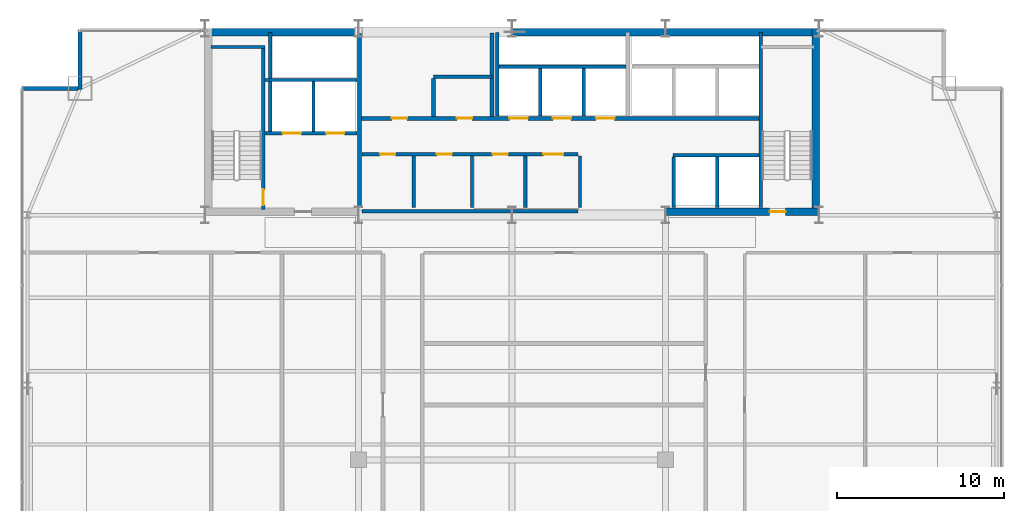
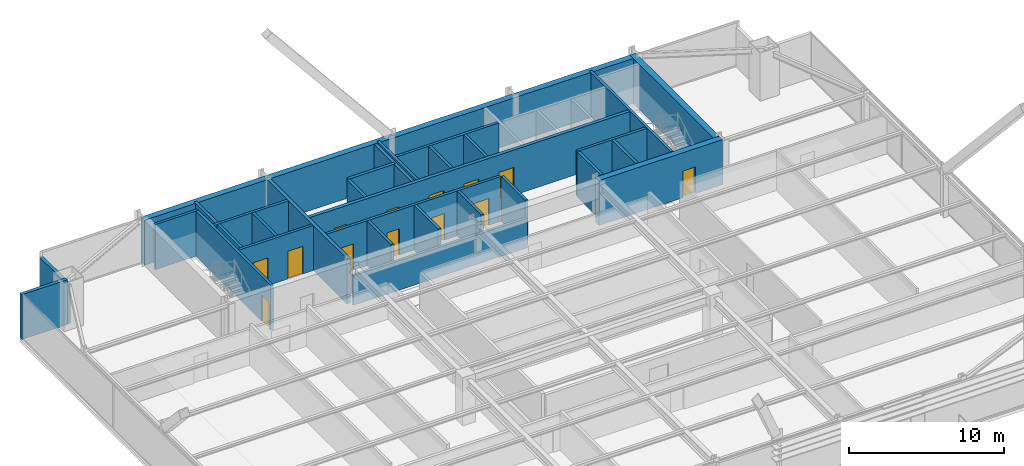
# One storey, part 34 of 37: 30 walls, 13 doors, 13 openings.
"""IFC4 building model written with IfcOpenShell, lengths in metres."""

from ifc_helpers import new_model, si_unit, direction, frame, frame_2d, origin, place, context, subcontext, project, spatial, rectangle, extrude, source, transform, mapped, material, layer, layer_set, type_object, type_shapes, element, fill, save


model = new_model("IFC4")

# Units and contexts
model_context = context("Model", 3, precision=1e-05, world=origin(), true_north=direction((0.0, 1.0)))
body_context = subcontext(model_context, "Body", "Model", "MODEL_VIEW")
ifc_project = project(units=[si_unit("LENGTHUNIT", "METRE"), si_unit("AREAUNIT", "SQUARE_METRE"), si_unit("VOLUMEUNIT", "CUBIC_METRE"), si_unit("PLANEANGLEUNIT", "RADIAN"), si_unit("MASSUNIT", "GRAM", prefix="KILO")], contexts=[model_context])

# Site, building, storey
site_placement = place(None, origin())
site = spatial("IfcSite", under=ifc_project, at=site_placement, CompositionType="ELEMENT")
building_placement = place(site_placement, origin())
building = spatial("IfcBuilding", under=site, at=building_placement, Name="Varnel Quay Broadcast Tower", CompositionType="ELEMENT")
storey_placement = place(building_placement, frame((0.0, 0.0, 125.800048828125)))
storey = spatial("IfcBuildingStorey", under=building, at=storey_placement, Name="L30", CompositionType="ELEMENT", Elevation=125.800048828125)

# Wall, opening, door
ifc_material_1 = material(Name="Concrete CSA A23.3 C50/60", Category="concrete")
ifc_layer_1 = layer(ifc_material_1, 0.199951171875, Name="Concrete CSA A23.3 C50/60")
ifc_layer_set_1 = layer_set([ifc_layer_1], Name="Concrete CSA A23.3 C50/60")
wall_type_1 = type_object("IfcWallType", Name="Wall_CoreShaftShear200", PredefinedType="SHEAR", material=ifc_layer_set_1)
wall_1_placement = place(storey_placement, frame((19.080078125, 35.949951171875, 0.0), z_axis=(0.0, 0.0, 1.0), x_axis=(0.0, 1.0, 0.0)))
wall_1 = element("IfcWall", 1, at=wall_1_placement, inside=storey, type_object=wall_type_1, Name="L30 Stair 1 East Structural Wall", PredefinedType="SHEAR", context=body_context, shape_type="SweptSolid", body=[
    extrude(rectangle(XDim=9.650146484375, YDim=0.199951171875, at=frame_2d((4.8251953125, 0.0))), origin(), (0.0, 0.0, 1.0), 3.550048828125),
])
opening_1_placement = place(wall_1_placement, frame((0.25, 0.0, 0.0)))
opening_1 = element("IfcOpeningElement", 2, at=opening_1_placement, cuts=wall_1, Name="Opening D-L30-S1", PredefinedType="OPENING", context=body_context, shape_type="SweptSolid", body=[
    extrude(rectangle(XDim=0.949951171875, YDim=2.10009765625, at=frame_2d((0.47509765625, 1.050048828125))), frame((0.0, 0.10986328125, 0.0), z_axis=(0.0, -1.0, 0.0), x_axis=(1.0, 0.0, 0.0)), (0.0, 0.0, 1.0), 0.219970703125),
])
ifc_material_2 = material(Name="Insulated Fire-Rated Hollow Steel Door", Category="steel")
door_type_1 = type_object("IfcDoorType", Name="Door_FireStair950", OperationType="NOTDEFINED", PredefinedType="DOOR", material=ifc_material_2)
shared_shape_1 = source(origin(), body_context, "Body", "SweptSolid", [
    extrude(rectangle(XDim=0.949951171875, YDim=2.10009765625, at=frame_2d((0.47509765625, 1.050048828125))), frame((0.0, 0.02490234375, 0.0), z_axis=(0.0, -1.0, 0.0), x_axis=(1.0, 0.0, 0.0)), (0.0, 0.0, 1.0), 0.050048828125),
])
type_shapes(door_type_1, [shared_shape_1])
door_1_placement = place(opening_1_placement, origin())
door_1 = element("IfcDoor", 3, at=door_1_placement, inside=storey, type_object=door_type_1, Name="L30 Stair 1 Fire Door", OperationType="SINGLE_SWING_RIGHT", OverallHeight=2.10009765625, OverallWidth=0.949951171875, PredefinedType="DOOR", context=body_context, shape_type="MappedRepresentation", body=[
    mapped(shared_shape_1, transform((0.0, 0.0, 0.0), x_axis=(1.0, 0.0, 0.0), y_axis=(0.0, 1.0, 0.0), z_axis=(0.0, 0.0, 1.0), scale=1.0)),
])
fill(opening_1, door_1)

# Wall
wall_2_placement = place(storey_placement, frame((15.949951171875, 45.679931640625, 0.0), z_axis=(0.0, 0.0, 1.0), x_axis=(1.0, 0.0, 0.0)))
element("IfcWall", 4, at=wall_2_placement, inside=storey, type_object=wall_type_1, Name="L30 Stair 1 North Structural Wall", PredefinedType="SHEAR", context=body_context, shape_type="SweptSolid", body=[
    extrude(rectangle(XDim=3.22998046875, YDim=0.199951171875, at=frame_2d((1.614990234375, 0.0))), origin(), (0.0, 0.0, 1.0), 3.550048828125),
])

# Wall, openings, doors
wall_3_placement = place(storey_placement, frame((19.199951171875, 40.5, 0.0), z_axis=(0.0, 0.0, 1.0), x_axis=(1.0, 0.0, 0.0)))
wall_3 = element("IfcWall", 5, at=wall_3_placement, inside=storey, type_object=wall_type_1, Name="L30 Firefighter Lift Shaft Front Wall", PredefinedType="SHEAR", context=body_context, shape_type="SweptSolid", body=[
    extrude(rectangle(XDim=5.52001953125, YDim=0.199951171875, at=frame_2d((2.760009765625, 0.0))), origin(), (0.0, 0.0, 1.0), 3.550048828125),
])
opening_2_placement = place(wall_3_placement, frame((1.050048828125, 0.0, 0.0)))
opening_2 = element("IfcOpeningElement", 6, at=opening_2_placement, cuts=wall_3, Name="Opening LD-L30-FE1", PredefinedType="OPENING", context=body_context, shape_type="SweptSolid", body=[
    extrude(rectangle(XDim=1.10009765625, YDim=2.179931640625, at=frame_2d((0.550048828125, 1.08984375))), frame((0.0, 0.10986328125, 0.0), z_axis=(0.0, -1.0, 0.0), x_axis=(1.0, 0.0, 0.0)), (0.0, 0.0, 1.0), 0.219970703125),
])
opening_3_placement = place(wall_3_placement, frame((3.64990234375, 0.0, 0.0)))
opening_3 = element("IfcOpeningElement", 7, at=opening_3_placement, cuts=wall_3, Name="Opening LD-L30-FE2", PredefinedType="OPENING", context=body_context, shape_type="SweptSolid", body=[
    extrude(rectangle(XDim=1.10009765625, YDim=2.179931640625, at=frame_2d((0.550048828125, 1.08984375))), frame((0.0, 0.10986328125, 0.0), z_axis=(0.0, -1.0, 0.0), x_axis=(1.0, 0.0, 0.0)), (0.0, 0.0, 1.0), 0.219970703125),
])
ifc_material_3 = material(Name="Brushed Bronze-Stainless Lift Car & Sliding Doors", Category="steel")
door_type_2 = type_object("IfcDoorType", Name="Door_LiftLanding1100", OperationType="SLIDING_TO_LEFT", PredefinedType="DOOR", material=ifc_material_3)
shared_shape_2 = source(origin(), body_context, "Body", "SweptSolid", [
    extrude(rectangle(XDim=1.10009765625, YDim=2.179931640625, at=frame_2d((0.550048828125, 1.08984375))), frame((0.0, 0.02490234375, 0.0), z_axis=(0.0, -1.0, 0.0), x_axis=(1.0, 0.0, 0.0)), (0.0, 0.0, 1.0), 0.050048828125),
])
type_shapes(door_type_2, [shared_shape_2])
door_2_placement = place(opening_2_placement, frame((1.10009765625, 0.0, 0.0), z_axis=(0.0, 0.0, 1.0), x_axis=(-1.0, 0.0, 0.0)))
door_2 = element("IfcDoor", 8, at=door_2_placement, inside=storey, type_object=door_type_2, Name="L30 Firefighter Lift FE-01 Landing Door", OperationType="SLIDING_TO_LEFT", OverallHeight=2.179931640625, OverallWidth=1.10009765625, PredefinedType="DOOR", context=body_context, shape_type="MappedRepresentation", body=[
    mapped(shared_shape_2, transform((0.0, 0.0, 0.0), x_axis=(1.0, 0.0, 0.0), y_axis=(0.0, 1.0, 0.0), z_axis=(0.0, 0.0, 1.0), scale=1.0)),
])
fill(opening_2, door_2)
door_3_placement = place(opening_3_placement, frame((1.10009765625, 0.0, 0.0), z_axis=(0.0, 0.0, 1.0), x_axis=(-1.0, 0.0, 0.0)))
door_3 = element("IfcDoor", 9, at=door_3_placement, inside=storey, type_object=door_type_2, Name="L30 Firefighter Lift FE-02 Landing Door", OperationType="SLIDING_TO_RIGHT", OverallHeight=2.179931640625, OverallWidth=1.10009765625, PredefinedType="DOOR", context=body_context, shape_type="MappedRepresentation", body=[
    mapped(shared_shape_2, transform((0.0, 0.0, 0.0), x_axis=(1.0, 0.0, 0.0), y_axis=(0.0, 1.0, 0.0), z_axis=(0.0, 0.0, 1.0), scale=1.0)),
])
fill(opening_3, door_3)

# Walls
wall_4_placement = place(storey_placement, frame((19.199951171875, 43.699951171875, 0.0), z_axis=(0.0, 0.0, 1.0), x_axis=(1.0, 0.0, 0.0)))
element("IfcWall", 10, at=wall_4_placement, inside=storey, type_object=wall_type_1, Name="L30 Firefighter Lift Shaft Rear Wall", PredefinedType="SHEAR", context=body_context, shape_type="SweptSolid", body=[
    extrude(rectangle(XDim=5.52001953125, YDim=0.199951171875, at=frame_2d((2.760009765625, 0.0))), origin(), (0.0, 0.0, 1.0), 3.550048828125),
])
wall_5_placement = place(storey_placement, frame((22.10009765625, 40.60009765625, 0.0), z_axis=(0.0, 0.0, 1.0), x_axis=(0.0, 1.0, 0.0)))
element("IfcWall", 11, at=wall_5_placement, inside=storey, type_object=wall_type_1, Name="L30 Firefighter Lift Shaft Divider", PredefinedType="SHEAR", context=body_context, shape_type="SweptSolid", body=[
    extrude(rectangle(XDim=3.0, YDim=0.199951171875, at=frame_2d((1.5, 0.0))), origin(), (0.0, 0.0, 1.0), 3.550048828125),
])
wall_6_placement = place(storey_placement, frame((19.5, 40.60009765625, 0.0), z_axis=(0.0, 0.0, 1.0), x_axis=(0.0, 1.0, 0.0)))
element("IfcWall", 12, at=wall_6_placement, inside=storey, type_object=wall_type_1, Name="L30 Firefighter Lift Shaft West Wall", PredefinedType="SHEAR", context=body_context, shape_type="SweptSolid", body=[
    extrude(rectangle(XDim=5.949951171875, YDim=0.199951171875, at=frame_2d((2.97509765625, 0.0))), origin(), (0.0, 0.0, 1.0), 3.550048828125),
])
wall_7_placement = place(storey_placement, frame((48.919921875, 36.050048828125, 0.0), z_axis=(0.0, 0.0, 1.0), x_axis=(0.0, 1.0, 0.0)))
element("IfcWall", 13, at=wall_7_placement, inside=storey, type_object=wall_type_1, Name="L30 Stair 2 West Structural Wall", PredefinedType="SHEAR", context=body_context, shape_type="SweptSolid", body=[
    extrude(rectangle(XDim=10.5, YDim=0.199951171875, at=frame_2d((5.25, 0.0))), origin(), (0.0, 0.0, 1.0), 3.550048828125),
])
wall_8_placement = place(storey_placement, frame((33.219970703125, 44.5, 0.0), z_axis=(0.0, 0.0, 1.0), x_axis=(1.0, 0.0, 0.0)))
element("IfcWall", 14, at=wall_8_placement, inside=storey, type_object=wall_type_1, Name="L30 Mid-Rise Lift Shaft Rear Wall", PredefinedType="SHEAR", context=body_context, shape_type="SweptSolid", body=[
    extrude(rectangle(XDim=7.630126953125, YDim=0.199951171875, at=frame_2d((3.81494140625, 0.0))), origin(), (0.0, 0.0, 1.0), 3.550048828125),
])
wall_9_placement = place(storey_placement, frame((33.1201171875, 41.530029296875, 0.0), z_axis=(0.0, 0.0, 1.0), x_axis=(0.0, 1.0, 0.0)))
element("IfcWall", 15, at=wall_9_placement, inside=storey, type_object=wall_type_1, Name="L30 Mid-Rise Lift Shaft Divider 1", PredefinedType="SHEAR", context=body_context, shape_type="SweptSolid", body=[
    extrude(rectangle(XDim=5.02001953125, YDim=0.199951171875, at=frame_2d((2.510009765625, 0.0))), origin(), (0.0, 0.0, 1.0), 3.550048828125),
])
for number, where, z_axis, x_axis, name in (
    (16, (35.699951171875, 41.530029296875, 0.0), (0.0, 0.0, 1.0), (0.0, 1.0, 0.0), "L30 Mid-Rise Lift Shaft Divider 2"),
    (17, (38.300048828125, 41.530029296875, 0.0), (0.0, 0.0, 1.0), (0.0, 1.0, 0.0), "L30 Mid-Rise Lift Shaft Divider 3"),
):
    element("IfcWall", number, at=place(storey_placement, frame(where, z_axis=z_axis, x_axis=x_axis)), inside=storey, type_object=wall_type_1, Name=name, PredefinedType="SHEAR", context=body_context, shape_type="SweptSolid", body=[
        extrude(rectangle(XDim=2.869873046875, YDim=0.199951171875, at=frame_2d((1.43505859375, 0.0))), origin(), (0.0, 0.0, 1.0), 3.550048828125),
    ])
for number, where, z_axis, x_axis, name in (
    (18, (43.699951171875, 36.050048828125, 0.0), (0.0, 0.0, 1.0), (0.0, 1.0, 0.0), "L30 Express Lift Shaft West Wall"),
    (19, (46.300048828125, 36.050048828125, 0.0), (0.0, 0.0, 1.0), (0.0, 1.0, 0.0), "L30 Express Lift Shaft Divider"),
):
    element("IfcWall", number, at=place(storey_placement, frame(where, z_axis=z_axis, x_axis=x_axis)), inside=storey, type_object=wall_type_1, Name=name, PredefinedType="SHEAR", context=body_context, shape_type="SweptSolid", body=[
        extrude(rectangle(XDim=3.050048828125, YDim=0.199951171875, at=frame_2d((1.52490234375, 0.0))), origin(), (0.0, 0.0, 1.0), 3.550048828125),
    ])
wall_10_placement = place(storey_placement, frame((43.64990234375, 39.199951171875, 0.0), z_axis=(0.0, 0.0, 1.0), x_axis=(1.0, 0.0, 0.0)))
element("IfcWall", 20, at=wall_10_placement, inside=storey, type_object=wall_type_1, Name="L30 Express Lift Shaft North Front Wall", PredefinedType="SHEAR", context=body_context, shape_type="SweptSolid", body=[
    extrude(rectangle(XDim=5.150146484375, YDim=0.199951171875, at=frame_2d((2.5751953125, 0.0))), origin(), (0.0, 0.0, 1.0), 3.550048828125),
])
ifc_layer_2 = layer(ifc_material_1, 0.25, Name="Concrete CSA A23.3 C50/60")
ifc_layer_set_2 = layer_set([ifc_layer_2], Name="Concrete CSA A23.3 C50/60")
wall_type_2 = type_object("IfcWallType", Name="Wall_CoreShaftShear250", PredefinedType="SHEAR", material=ifc_layer_set_2)
wall_11_placement = place(storey_placement, frame((24.85009765625, 36.050048828125, 0.0), z_axis=(0.0, 0.0, 1.0), x_axis=(0.0, 1.0, 0.0)))
element("IfcWall", 21, at=wall_11_placement, inside=storey, type_object=wall_type_2, Name="L30 Firefighting Lobby East Structural Wall", PredefinedType="SHEAR", context=body_context, shape_type="SweptSolid", body=[
    extrude(rectangle(XDim=10.449951171875, YDim=0.25, at=frame_2d((5.22509765625, 0.0))), origin(), (0.0, 0.0, 1.0), 3.550048828125),
])

# Wall, openings, doors
wall_12_placement = place(storey_placement, frame((24.97998046875, 41.39990234375, 0.0), z_axis=(0.0, 0.0, 1.0), x_axis=(1.0, 0.0, 0.0)))
wall_12 = element("IfcWall", 22, at=wall_12_placement, inside=storey, type_object=wall_type_2, Name="L30 North Lift Bank & Reclaimed Suite Wall", PredefinedType="SHEAR", context=body_context, shape_type="SweptSolid", body=[
    extrude(rectangle(XDim=23.820068359375, YDim=0.25, at=frame_2d((11.91015625, 0.0))), origin(), (0.0, 0.0, 1.0), 3.550048828125),
])
opening_4_placement = place(wall_12_placement, frame((8.8701171875, 0.0, 0.0)))
opening_4 = element("IfcOpeningElement", 23, at=opening_4_placement, cuts=wall_12, Name="Opening LD-L30-PM-01", PredefinedType="OPENING", context=body_context, shape_type="SweptSolid", body=[
    extrude(rectangle(XDim=1.10009765625, YDim=2.179931640625, at=frame_2d((0.550048828125, 1.08984375))), frame((0.0, 0.135009765625, 0.0), z_axis=(0.0, -1.0, 0.0), x_axis=(1.0, 0.0, 0.0)), (0.0, 0.0, 1.0), 0.27001953125),
])
opening_5_placement = place(wall_12_placement, frame((11.469970703125, 0.0, 0.0)))
opening_5 = element("IfcOpeningElement", 24, at=opening_5_placement, cuts=wall_12, Name="Opening LD-L30-PM-02", PredefinedType="OPENING", context=body_context, shape_type="SweptSolid", body=[
    extrude(rectangle(XDim=1.10009765625, YDim=2.179931640625, at=frame_2d((0.550048828125, 1.08984375))), frame((0.0, 0.135009765625, 0.0), z_axis=(0.0, -1.0, 0.0), x_axis=(1.0, 0.0, 0.0)), (0.0, 0.0, 1.0), 0.27001953125),
])
opening_6_placement = place(wall_12_placement, frame((14.070068359375, 0.0, 0.0)))
opening_6 = element("IfcOpeningElement", 25, at=opening_6_placement, cuts=wall_12, Name="Opening LD-L30-PM-03", PredefinedType="OPENING", context=body_context, shape_type="SweptSolid", body=[
    extrude(rectangle(XDim=1.10009765625, YDim=2.179931640625, at=frame_2d((0.550048828125, 1.08984375))), frame((0.0, 0.135009765625, 0.0), z_axis=(0.0, -1.0, 0.0), x_axis=(1.0, 0.0, 0.0)), (0.0, 0.0, 1.0), 0.27001953125),
])
opening_7_placement = place(wall_12_placement, frame((1.81005859375, 0.0, 0.0)))
opening_7 = element("IfcOpeningElement", 26, at=opening_7_placement, cuts=wall_12, Name="Opening D-L30-RECA1", PredefinedType="OPENING", context=body_context, shape_type="SweptSolid", body=[
    extrude(rectangle(XDim=0.919921875, YDim=2.080078125, at=frame_2d((0.4599609375, 1.0400390625))), frame((0.0, 0.135009765625, 0.0), z_axis=(0.0, -1.0, 0.0), x_axis=(1.0, 0.0, 0.0)), (0.0, 0.0, 1.0), 0.27001953125),
])
opening_8_placement = place(wall_12_placement, frame((5.7099609375, 0.0, 0.0)))
opening_8 = element("IfcOpeningElement", 27, at=opening_8_placement, cuts=wall_12, Name="Opening D-L30-RECA2", PredefinedType="OPENING", context=body_context, shape_type="SweptSolid", body=[
    extrude(rectangle(XDim=0.919921875, YDim=2.080078125, at=frame_2d((0.4599609375, 1.0400390625))), frame((0.0, 0.135009765625, 0.0), z_axis=(0.0, -1.0, 0.0), x_axis=(1.0, 0.0, 0.0)), (0.0, 0.0, 1.0), 0.27001953125),
])
door_4_placement = place(opening_4_placement, frame((1.10009765625, 0.0, 0.0), z_axis=(0.0, 0.0, 1.0), x_axis=(-1.0, 0.0, 0.0)))
door_4 = element("IfcDoor", 28, at=door_4_placement, inside=storey, type_object=door_type_2, Name="L30 Lift PM-01 Landing Door", OperationType="SLIDING_TO_LEFT", OverallHeight=2.179931640625, OverallWidth=1.10009765625, PredefinedType="DOOR", context=body_context, shape_type="MappedRepresentation", body=[
    mapped(shared_shape_2, transform((0.0, 0.0, 0.0), x_axis=(1.0, 0.0, 0.0), y_axis=(0.0, 1.0, 0.0), z_axis=(0.0, 0.0, 1.0), scale=1.0)),
])
fill(opening_4, door_4)
door_5_placement = place(opening_5_placement, frame((1.10009765625, 0.0, 0.0), z_axis=(0.0, 0.0, 1.0), x_axis=(-1.0, 0.0, 0.0)))
door_5 = element("IfcDoor", 29, at=door_5_placement, inside=storey, type_object=door_type_2, Name="L30 Lift PM-02 Landing Door", OperationType="SLIDING_TO_LEFT", OverallHeight=2.179931640625, OverallWidth=1.10009765625, PredefinedType="DOOR", context=body_context, shape_type="MappedRepresentation", body=[
    mapped(shared_shape_2, transform((0.0, 0.0, 0.0), x_axis=(1.0, 0.0, 0.0), y_axis=(0.0, 1.0, 0.0), z_axis=(0.0, 0.0, 1.0), scale=1.0)),
])
fill(opening_5, door_5)
door_6_placement = place(opening_6_placement, frame((1.10009765625, 0.0, 0.0), z_axis=(0.0, 0.0, 1.0), x_axis=(-1.0, 0.0, 0.0)))
door_6 = element("IfcDoor", 30, at=door_6_placement, inside=storey, type_object=door_type_2, Name="L30 Lift PM-03 Landing Door", OperationType="SLIDING_TO_LEFT", OverallHeight=2.179931640625, OverallWidth=1.10009765625, PredefinedType="DOOR", context=body_context, shape_type="MappedRepresentation", body=[
    mapped(shared_shape_2, transform((0.0, 0.0, 0.0), x_axis=(1.0, 0.0, 0.0), y_axis=(0.0, 1.0, 0.0), z_axis=(0.0, 0.0, 1.0), scale=1.0)),
])
fill(opening_6, door_6)
ifc_material_4 = material(Name="Solid-Core Fire-Rated Acoustic Oak Veneer Door", Category="wood")
door_type_3 = type_object("IfcDoorType", Name="Door_Office920", OperationType="NOTDEFINED", PredefinedType="DOOR", material=ifc_material_4)
shared_shape_3 = source(origin(), body_context, "Body", "SweptSolid", [
    extrude(rectangle(XDim=0.919921875, YDim=2.080078125, at=frame_2d((0.4599609375, 1.0400390625))), frame((0.0, 0.02490234375, 0.0), z_axis=(0.0, -1.0, 0.0), x_axis=(1.0, 0.0, 0.0)), (0.0, 0.0, 1.0), 0.050048828125),
])
type_shapes(door_type_3, [shared_shape_3])
door_7_placement = place(opening_7_placement, origin())
door_7 = element("IfcDoor", 31, at=door_7_placement, inside=storey, type_object=door_type_3, Name="L30 Signal Routing Suite Door", OperationType="SINGLE_SWING_LEFT", OverallHeight=2.080078125, OverallWidth=0.919921875, PredefinedType="DOOR", context=body_context, shape_type="MappedRepresentation", body=[
    mapped(shared_shape_3, transform((0.0, 0.0, 0.0), x_axis=(1.0, 0.0, 0.0), y_axis=(0.0, 1.0, 0.0), z_axis=(0.0, 0.0, 1.0), scale=1.0)),
])
fill(opening_7, door_7)
door_8_placement = place(opening_8_placement, origin())
door_8 = element("IfcDoor", 32, at=door_8_placement, inside=storey, type_object=door_type_3, Name="L30 Archive Media Store Door", OperationType="SINGLE_SWING_RIGHT", OverallHeight=2.080078125, OverallWidth=0.919921875, PredefinedType="DOOR", context=body_context, shape_type="MappedRepresentation", body=[
    mapped(shared_shape_3, transform((0.0, 0.0, 0.0), x_axis=(1.0, 0.0, 0.0), y_axis=(0.0, 1.0, 0.0), z_axis=(0.0, 0.0, 1.0), scale=1.0)),
])
fill(opening_8, door_8)

# Walls
ifc_material_5 = material(Name="Concrete CSA A23.3 C60/75", Category="concrete")
ifc_layer_3 = layer(ifc_material_5, 0.449951171875, Name="Concrete CSA A23.3 C60/75")
ifc_layer_set_3 = layer_set([ifc_layer_3], Name="Concrete CSA A23.3 C60/75")
wall_type_3 = type_object("IfcWallType", Name="Wall_CoreShearExt450", PredefinedType="SHEAR", material=ifc_layer_set_3)
wall_13_placement = place(storey_placement, frame((15.60009765625, 46.574951171875, 0.0), z_axis=(0.0, 0.0, 1.0), x_axis=(1.0, 0.0, 0.0)))
element("IfcWall", 33, at=wall_13_placement, inside=storey, type_object=wall_type_3, Name="L30 North Core Shear Wall", PredefinedType="SHEAR", context=body_context, shape_type="SweptSolid", body=[
    extrude(rectangle(XDim=36.7998046875, YDim=0.449951171875, at=frame_2d((18.39990234375, 0.0))), origin(), (0.0, 0.0, 1.0), 3.550048828125),
])
ifc_layer_4 = layer(ifc_material_5, 0.449951171875, Name="Concrete CSA A23.3 C60/75")
ifc_layer_set_4 = layer_set([ifc_layer_4], Name="Concrete CSA A23.3 C60/75")
wall_type_4 = type_object("IfcWallType", Name="Wall_CoreShearInt450", PredefinedType="SHEAR", material=ifc_layer_set_4)
wall_14_placement = place(storey_placement, frame((52.205078125, 35.570068359375, 0.0), z_axis=(0.0, 0.0, 1.0), x_axis=(0.0, 1.0, 0.0)))
element("IfcWall", 34, at=wall_14_placement, inside=storey, type_object=wall_type_4, Name="L30 East Core Shear Wall", PredefinedType="SHEAR", context=body_context, shape_type="SweptSolid", body=[
    extrude(rectangle(XDim=11.22998046875, YDim=0.449951171875, at=frame_2d((5.614990234375, 0.0))), origin(), (0.0, 0.0, 1.0), 3.550048828125),
])

# Wall, opening, door
wall_15_placement = place(storey_placement, frame((43.199951171875, 35.794921875, 0.0), z_axis=(0.0, 0.0, 1.0), x_axis=(1.0, 0.0, 0.0)))
wall_15 = element("IfcWall", 35, at=wall_15_placement, inside=storey, type_object=wall_type_4, Name="L30 South-East Core Shear Wall", PredefinedType="SHEAR", context=body_context, shape_type="SweptSolid", body=[
    extrude(rectangle(XDim=9.22998046875, YDim=0.449951171875, at=frame_2d((4.614990234375, 0.0))), origin(), (0.0, 0.0, 1.0), 3.550048828125),
])
opening_9_placement = place(wall_15_placement, frame((6.25, 0.0, 0.0)))
opening_9 = element("IfcOpeningElement", 36, at=opening_9_placement, cuts=wall_15, Name="Opening D-L30-S2", PredefinedType="OPENING", context=body_context, shape_type="SweptSolid", body=[
    extrude(rectangle(XDim=0.949951171875, YDim=2.10009765625, at=frame_2d((0.47509765625, 1.050048828125))), frame((0.0, 0.23486328125, 0.0), z_axis=(0.0, -1.0, 0.0), x_axis=(1.0, 0.0, 0.0)), (0.0, 0.0, 1.0), 0.469970703125),
])
door_9_placement = place(opening_9_placement, origin())
door_9 = element("IfcDoor", 37, at=door_9_placement, inside=storey, type_object=door_type_1, Name="L30 Stair 2 Fire Door", OperationType="SINGLE_SWING_RIGHT", OverallHeight=2.10009765625, OverallWidth=0.949951171875, PredefinedType="DOOR", context=body_context, shape_type="MappedRepresentation", body=[
    mapped(shared_shape_1, transform((0.0, 0.0, 0.0), x_axis=(1.0, 0.0, 0.0), y_axis=(0.0, 1.0, 0.0), z_axis=(0.0, 0.0, 1.0), scale=1.0)),
])
fill(opening_9, door_9)

# Walls
ifc_material_6 = material(Name="Precast Architectural Concrete C40/50", Category="concrete")
ifc_layer_5 = layer(ifc_material_6, 0.25, Name="Precast Architectural Concrete C40/50")
ifc_layer_set_5 = layer_set([ifc_layer_5], Name="Precast Architectural Concrete C40/50")
wall_type_5 = type_object("IfcWallType", Name="Wall_ExtTerrace250", PredefinedType="SOLIDWALL", material=ifc_layer_set_5)
wall_16_placement = place(storey_placement, frame((4.580078125, 43.199951171875, 0.0), z_axis=(0.0, 0.0, 1.0), x_axis=(1.0, 0.0, 0.0)))
element("IfcWall", 38, at=wall_16_placement, inside=storey, type_object=wall_type_5, Name="L30 Mega-Column Notch Cladding Wall NNW1", PredefinedType="SOLIDWALL", context=body_context, shape_type="SweptSolid", body=[
    extrude(rectangle(XDim=3.389892578125, YDim=0.25, at=frame_2d((1.69482421875, 0.0))), origin(), (0.0, 0.0, 1.0), 3.530029296875),
])
wall_17_placement = place(storey_placement, frame((8.10009765625, 43.1201171875, 0.0), z_axis=(0.0, 0.0, 1.0), x_axis=(0.0, 1.0, 0.0)))
element("IfcWall", 39, at=wall_17_placement, inside=storey, type_object=wall_type_5, Name="L30 Mega-Column Notch Cladding Wall NNW2", PredefinedType="SOLIDWALL", context=body_context, shape_type="SweptSolid", body=[
    extrude(rectangle(XDim=3.599853515625, YDim=0.25, at=frame_2d((1.7998046875, 0.0))), origin(), (0.0, 0.0, 1.0), 3.10791015625),
])
ifc_material_7 = material(Name="Concrete Blockwork Fire Enclosure C40/50", Category="masonry")
ifc_layer_6 = layer(ifc_material_7, 0.199951171875, Name="Concrete Blockwork Fire Enclosure C40/50")
ifc_layer_set_6 = layer_set([ifc_layer_6], Name="Concrete Blockwork Fire Enclosure C40/50")
wall_type_6 = type_object("IfcWallType", Name="Wall_FireShaft200", PredefinedType="SOLIDWALL", material=ifc_layer_set_6)
wall_18_placement = place(storey_placement, frame((25.0, 35.824951171875, 0.0), z_axis=(0.0, 0.0, 1.0), x_axis=(1.0, 0.0, 0.0)))
element("IfcWall", 40, at=wall_18_placement, inside=storey, type_object=wall_type_6, Name="L30 Accessible Universal Washroom Partition 1", PredefinedType="SOLIDWALL", context=body_context, shape_type="SweptSolid", body=[
    extrude(rectangle(XDim=12.949951171875, YDim=0.199951171875, at=frame_2d((6.47509765625, 0.0))), origin(), (0.0, 0.0, 1.0), 2.324951171875),
])

# Wall, openings, doors
wall_19_placement = place(storey_placement, frame((25.0, 39.25, 0.0), z_axis=(0.0, 0.0, 1.0), x_axis=(1.0, 0.0, 0.0)))
wall_19 = element("IfcWall", 41, at=wall_19_placement, inside=storey, type_object=wall_type_6, Name="L30 Accessible Universal Washroom Partition 3", PredefinedType="SOLIDWALL", context=body_context, shape_type="SweptSolid", body=[
    extrude(rectangle(XDim=12.949951171875, YDim=0.199951171875, at=frame_2d((6.47509765625, 0.0))), origin(), (0.0, 0.0, 1.0), 3.530029296875),
])
opening_10_placement = place(wall_19_placement, frame((1.10009765625, 0.0, 0.0)))
opening_10 = element("IfcOpeningElement", 42, at=opening_10_placement, cuts=wall_19, Name="Opening D-L30-01", PredefinedType="OPENING", context=body_context, shape_type="SweptSolid", body=[
    extrude(rectangle(XDim=0.89990234375, YDim=2.06005859375, at=frame_2d((0.449951171875, 1.030029296875))), frame((0.0, 0.10986328125, 0.0), z_axis=(0.0, -1.0, 0.0), x_axis=(1.0, 0.0, 0.0)), (0.0, 0.0, 1.0), 0.219970703125),
])
opening_11_placement = place(wall_19_placement, frame((4.5, 0.0, 0.0)))
opening_11 = element("IfcOpeningElement", 43, at=opening_11_placement, cuts=wall_19, Name="Opening D-L30-02", PredefinedType="OPENING", context=body_context, shape_type="SweptSolid", body=[
    extrude(rectangle(XDim=0.89990234375, YDim=2.06005859375, at=frame_2d((0.449951171875, 1.030029296875))), frame((0.0, 0.10986328125, 0.0), z_axis=(0.0, -1.0, 0.0), x_axis=(1.0, 0.0, 0.0)), (0.0, 0.0, 1.0), 0.219970703125),
])
opening_12_placement = place(wall_19_placement, frame((7.840087890625, 0.0, 0.0)))
opening_12 = element("IfcOpeningElement", 44, at=opening_12_placement, cuts=wall_19, Name="Opening D-L30-03", PredefinedType="OPENING", context=body_context, shape_type="SweptSolid", body=[
    extrude(rectangle(XDim=0.919921875, YDim=2.080078125, at=frame_2d((0.4599609375, 1.0400390625))), frame((0.0, 0.10986328125, 0.0), z_axis=(0.0, -1.0, 0.0), x_axis=(1.0, 0.0, 0.0)), (0.0, 0.0, 1.0), 0.219970703125),
])
opening_13_placement = place(wall_19_placement, frame((10.875, 0.0, 0.0)))
opening_13 = element("IfcOpeningElement", 45, at=opening_13_placement, cuts=wall_19, Name="Opening D-L30-04", PredefinedType="OPENING", context=body_context, shape_type="SweptSolid", body=[
    extrude(rectangle(XDim=1.199951171875, YDim=2.10009765625, at=frame_2d((0.60009765625, 1.050048828125))), frame((0.0, 0.10986328125, 0.0), z_axis=(0.0, -1.0, 0.0), x_axis=(1.0, 0.0, 0.0)), (0.0, 0.0, 1.0), 0.219970703125),
])
door_type_4 = type_object("IfcDoorType", Name="Door_Washroom900", OperationType="NOTDEFINED", PredefinedType="DOOR", material=ifc_material_4)
shared_shape_4 = source(origin(), body_context, "Body", "SweptSolid", [
    extrude(rectangle(XDim=0.89990234375, YDim=2.06005859375, at=frame_2d((0.449951171875, 1.030029296875))), frame((0.0, 0.02490234375, 0.0), z_axis=(0.0, -1.0, 0.0), x_axis=(1.0, 0.0, 0.0)), (0.0, 0.0, 1.0), 0.050048828125),
])
type_shapes(door_type_4, [shared_shape_4])
door_10_placement = place(opening_10_placement, frame((0.89990234375, 0.0, 0.0), z_axis=(0.0, 0.0, 1.0), x_axis=(-1.0, 0.0, 0.0)))
door_10 = element("IfcDoor", 46, at=door_10_placement, inside=storey, type_object=door_type_4, Name="L30 Accessible Universal Washroom Door D-L30-01", OperationType="SINGLE_SWING_LEFT", OverallHeight=2.06005859375, OverallWidth=0.89990234375, PredefinedType="DOOR", context=body_context, shape_type="MappedRepresentation", body=[
    mapped(shared_shape_4, transform((0.0, 0.0, 0.0), x_axis=(1.0, 0.0, 0.0), y_axis=(0.0, 1.0, 0.0), z_axis=(0.0, 0.0, 1.0), scale=1.0)),
])
fill(opening_10, door_10)
door_11_placement = place(opening_11_placement, frame((0.89990234375, 0.0, 0.0), z_axis=(0.0, 0.0, 1.0), x_axis=(-1.0, 0.0, 0.0)))
door_11 = element("IfcDoor", 47, at=door_11_placement, inside=storey, type_object=door_type_4, Name="L30 Staff Washroom Block Door D-L30-02", OperationType="SINGLE_SWING_RIGHT", OverallHeight=2.06005859375, OverallWidth=0.89990234375, PredefinedType="DOOR", context=body_context, shape_type="MappedRepresentation", body=[
    mapped(shared_shape_4, transform((0.0, 0.0, 0.0), x_axis=(1.0, 0.0, 0.0), y_axis=(0.0, 1.0, 0.0), z_axis=(0.0, 0.0, 1.0), scale=1.0)),
])
fill(opening_11, door_11)
door_type_5 = type_object("IfcDoorType", Name="Door_Plant1200", OperationType="NOTDEFINED", PredefinedType="DOOR", material=ifc_material_2)
shared_shape_5 = source(origin(), body_context, "Body", "SweptSolid", [
    extrude(rectangle(XDim=1.199951171875, YDim=2.10009765625, at=frame_2d((0.60009765625, 1.050048828125))), frame((0.0, 0.02490234375, 0.0), z_axis=(0.0, -1.0, 0.0), x_axis=(1.0, 0.0, 0.0)), (0.0, 0.0, 1.0), 0.050048828125),
])
type_shapes(door_type_5, [shared_shape_5])
door_12_placement = place(opening_13_placement, origin())
door_12 = element("IfcDoor", 48, at=door_12_placement, inside=storey, type_object=door_type_5, Name="L30 Zone Lighting Dimmer Room Door D-L30-04", OperationType="SINGLE_SWING_RIGHT", OverallHeight=2.10009765625, OverallWidth=1.199951171875, PredefinedType="DOOR", context=body_context, shape_type="MappedRepresentation", body=[
    mapped(shared_shape_5, transform((0.0, 0.0, 0.0), x_axis=(1.0, 0.0, 0.0), y_axis=(0.0, 1.0, 0.0), z_axis=(0.0, 0.0, 1.0), scale=1.0)),
])
fill(opening_13, door_12)
door_13_placement = place(opening_12_placement, frame((0.919921875, 0.0, 0.0), z_axis=(0.0, 0.0, 1.0), x_axis=(-1.0, 0.0, 0.0)))
door_13 = element("IfcDoor", 49, at=door_13_placement, inside=storey, type_object=door_type_3, Name="L30 Broadcast First-Aid & Quiet Room Door D-L30-03", OperationType="SINGLE_SWING_LEFT", OverallHeight=2.080078125, OverallWidth=0.919921875, PredefinedType="DOOR", context=body_context, shape_type="MappedRepresentation", body=[
    mapped(shared_shape_3, transform((0.0, 0.0, 0.0), x_axis=(1.0, 0.0, 0.0), y_axis=(0.0, 1.0, 0.0), z_axis=(0.0, 0.0, 1.0), scale=1.0)),
])
fill(opening_12, door_13)

# Walls
for number, where, z_axis, x_axis, name in (
    (50, (34.800048828125, 36.050048828125, 0.0), (0.0, 0.0, 1.0), (0.0, 1.0, 0.0), "L30 Broadcast First-Aid & Quiet Room Partition 5"),
    (51, (38.074951171875, 36.050048828125, 0.0), (0.0, 0.0, 1.0), (0.0, 1.0, 0.0), "L30 Zone Lighting Dimmer Room Partition 6"),
):
    element("IfcWall", number, at=place(storey_placement, frame(where, z_axis=z_axis, x_axis=x_axis)), inside=storey, type_object=wall_type_6, Name=name, PredefinedType="SOLIDWALL", context=body_context, shape_type="SweptSolid", body=[
        extrude(rectangle(XDim=3.099853515625, YDim=0.199951171875, at=frame_2d((1.5498046875, 0.0))), origin(), (0.0, 0.0, 1.0), 3.530029296875),
    ])
ifc_material_8 = material(Name="Steel-Stud Fire-Rated Acoustic Gypsum Partition Assembly", Category="steel")
ifc_layer_7 = layer(ifc_material_8, 0.22509765625, Name="Steel-Stud Fire-Rated Acoustic Gypsum Partition Assembly")
ifc_layer_set_7 = layer_set([ifc_layer_7], Name="Steel-Stud Fire-Rated Acoustic Gypsum Partition Assembly")
wall_type_7 = type_object("IfcWallType", Name="Wall_Partition225", PredefinedType="PARTITIONING", material=ifc_layer_set_7)
wall_20_placement = place(storey_placement, frame((29.300048828125, 41.5, 0.0), z_axis=(0.0, 0.0, 1.0), x_axis=(0.0, 1.0, 0.0)))
element("IfcWall", 52, at=wall_20_placement, inside=storey, type_object=wall_type_7, Name="L30 Signal Routing Suite Partition 23", PredefinedType="PARTITIONING", context=body_context, shape_type="SweptSolid", body=[
    extrude(rectangle(XDim=2.2880859375, YDim=0.22509765625, at=frame_2d((1.14404296875, 0.0))), origin(), (0.0, 0.0, 1.0), 3.530029296875),
])
wall_21_placement = place(storey_placement, frame((29.300048828125, 43.89990234375, 0.0), z_axis=(0.0, 0.0, 1.0), x_axis=(1.0, 0.0, 0.0)))
element("IfcWall", 53, at=wall_21_placement, inside=storey, type_object=wall_type_7, Name="L30 Signal Routing Suite Partition 24", PredefinedType="PARTITIONING", context=body_context, shape_type="SweptSolid", body=[
    extrude(rectangle(XDim=3.5, YDim=0.22509765625, at=frame_2d((1.75, 0.0))), origin(), (0.0, 0.0, 1.0), 3.530029296875),
])
wall_22_placement = place(storey_placement, frame((32.800048828125, 41.5, 0.0), z_axis=(0.0, 0.0, 1.0), x_axis=(0.0, 1.0, 0.0)))
element("IfcWall", 54, at=wall_22_placement, inside=storey, type_object=wall_type_7, Name="L30 Signal Routing Suite Partition 25", PredefinedType="PARTITIONING", context=body_context, shape_type="SweptSolid", body=[
    extrude(rectangle(XDim=5.02001953125, YDim=0.22509765625, at=frame_2d((2.510009765625, 0.0))), origin(), (0.0, 0.0, 1.0), 3.530029296875),
])
ifc_material_9 = material(Name="Fire-Rated Moisture-Resistant Plumbing Chase Partition")
ifc_layer_8 = layer(ifc_material_9, 0.199951171875, Name="Fire-Rated Moisture-Resistant Plumbing Chase Partition")
ifc_layer_set_8 = layer_set([ifc_layer_8], Name="Fire-Rated Moisture-Resistant Plumbing Chase Partition")
wall_type_8 = type_object("IfcWallType", Name="Wall_Plumbing200", PredefinedType="PLUMBINGWALL", material=ifc_layer_set_8)
for number, where, z_axis, x_axis, name in (
    (55, (28.10009765625, 36.050048828125, 0.0), (0.0, 0.0, 1.0), (0.0, 1.0, 0.0), "L30 Accessible Universal Washroom Partition 2"),
    (56, (31.60009765625, 36.050048828125, 0.0), (0.0, 0.0, 1.0), (0.0, 1.0, 0.0), "L30 Staff Washroom Block Partition 4"),
):
    element("IfcWall", number, at=place(storey_placement, frame(where, z_axis=z_axis, x_axis=x_axis)), inside=storey, type_object=wall_type_8, Name=name, PredefinedType="PLUMBINGWALL", context=body_context, shape_type="SweptSolid", body=[
        extrude(rectangle(XDim=3.099853515625, YDim=0.199951171875, at=frame_2d((1.5498046875, 0.0))), origin(), (0.0, 0.0, 1.0), 3.530029296875),
    ])

save(model, "model.ifc")
